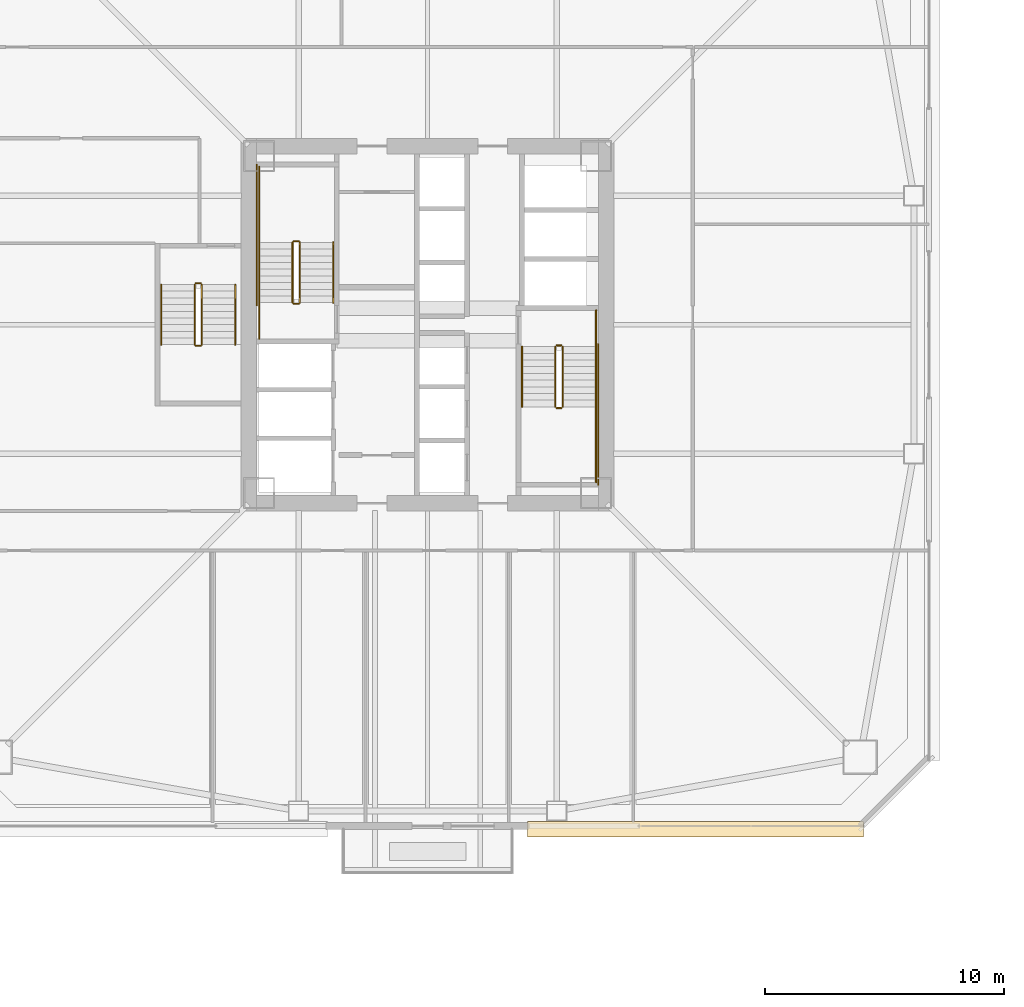
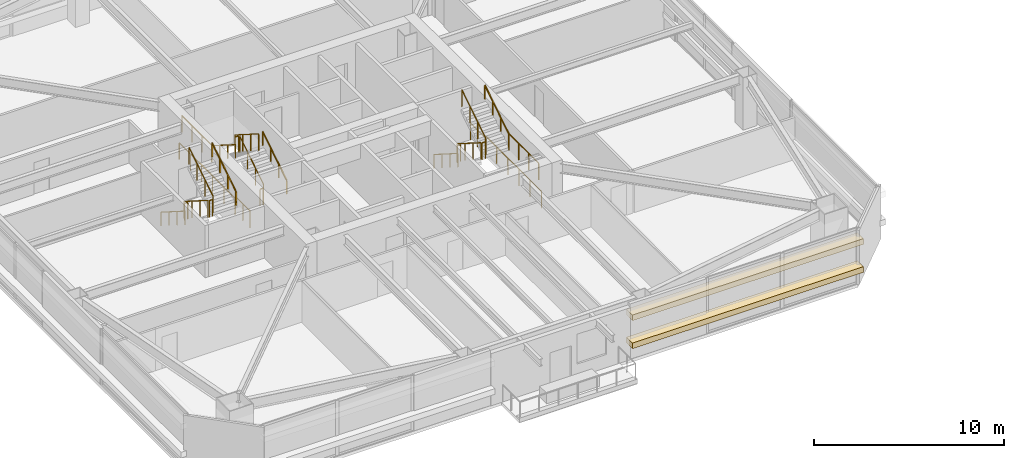
# One storey, part 39 of 44: 24 railings, 2 coverings.
"""IFC4 building model written with IfcOpenShell, lengths in metres."""

import ifcopenshell
import ifcopenshell.guid

model = None  # the IFC model being written
_history = None  # IfcOwnerHistory: only IFC2X3 demands one
_inside = {}  # id of a spatial element -> (the spatial element, [elements in it])
_under = {}  # id of a project, library or spatial element -> (it, [spatial elements below it])
_declared = {}  # id of a project -> (the project, [libraries it declares])
_typed = {}  # id of a type object -> (the type object, [elements of that type])
_made_of = {}  # id of a material, layer set ... -> (it, [elements and type objects made of it])


def new_model(schema):
    """Start an empty IFC model of exactly this schema.

    Asked for "IFC4X3", IfcOpenShell would pick the latest addendum, in which some entities
    have other attributes; the version numbers below select the first issue.
    IFC2X3 requires an IfcOwnerHistory on every rooted entity: one is made here for all.
    """
    global model, _history
    if schema == "IFC4X3":
        model = ifcopenshell.file(schema_version=(4, 3, 0, 0))
    else:
        model = ifcopenshell.file(schema=schema)
    _inside.clear()
    _under.clear()
    _declared.clear()
    _typed.clear()
    _made_of.clear()
    _history = None
    if model.schema == "IFC2X3":
        org = make("IfcOrganization", Name="unknown")
        user = make(
            "IfcPersonAndOrganization",
            ThePerson=make("IfcPerson", FamilyName="unknown"),
            TheOrganization=org,
        )
        app = make(
            "IfcApplication",
            ApplicationDeveloper=org,
            Version="unknown",
            ApplicationFullName="unknown",
            ApplicationIdentifier="unknown",
        )
        _history = make(
            "IfcOwnerHistory",
            OwningUser=user,
            OwningApplication=app,
            ChangeAction="ADDED",
            CreationDate=0,
        )
    return model


def make(cls, **values):
    """One entity of the class cls with the attributes given. An attribute that is None is left unset."""
    return model.create_entity(
        cls, **{name: value for name, value in values.items() if value is not None}
    )


def rooted(cls, **values):
    """An entity with a GlobalId (a new one), such as an element, a storey or a relation."""
    return make(cls, GlobalId=ifcopenshell.guid.new(), OwnerHistory=_history, **values)


def si_unit(unit_type, name, prefix=None):
    """IfcSIUnit, for example si_unit("LENGTHUNIT", "METRE", prefix="MILLI")."""
    return make("IfcSIUnit", UnitType=unit_type, Prefix=prefix, Name=name)


def assignment(units):
    """IfcUnitAssignment: the units of a project."""
    return None if units is None else make("IfcUnitAssignment", Units=units)


def point(xyz):
    """IfcCartesianPoint."""
    return None if xyz is None else make("IfcCartesianPoint", Coordinates=xyz)


def direction(xyz):
    """IfcDirection."""
    return None if xyz is None else make("IfcDirection", DirectionRatios=xyz)


def frame(location, z_axis=None, x_axis=None):
    """IfcAxis2Placement3D, a coordinate frame: its origin and axes. An axis left out is left unset."""
    return make(
        "IfcAxis2Placement3D",
        Location=point(location),
        Axis=direction(z_axis),
        RefDirection=direction(x_axis),
    )


def frame_2d(location, x_axis=None):
    """IfcAxis2Placement2D, a coordinate frame in the plane: its origin and x axis."""
    return make(
        "IfcAxis2Placement2D", Location=point(location), RefDirection=direction(x_axis)
    )


def origin():
    """The frame at (0, 0, 0) with its axes left unset."""
    return frame((0.0, 0.0, 0.0))


def origin_2d():
    """The frame at (0, 0) in the plane with its x axis left unset."""
    return frame_2d((0.0, 0.0))


def place(relative_to, where):
    """IfcLocalPlacement: puts the frame where relative to a parent placement (None: the world)."""
    return make(
        "IfcLocalPlacement", PlacementRelTo=relative_to, RelativePlacement=where
    )


def context(
    kind, dimensions, precision=None, world=None, true_north=None, identifier=None
):
    """IfcGeometricRepresentationContext, for example the 3D "Model" context."""
    return make(
        "IfcGeometricRepresentationContext",
        ContextIdentifier=identifier,
        ContextType=kind,
        CoordinateSpaceDimension=dimensions,
        Precision=precision,
        WorldCoordinateSystem=world,
        TrueNorth=true_north,
    )


def subcontext(parent, identifier, kind, view, scale=None):
    """IfcGeometricRepresentationSubContext, for example "Body" below "Model"."""
    return make(
        "IfcGeometricRepresentationSubContext",
        ContextIdentifier=identifier,
        ContextType=kind,
        ParentContext=parent,
        TargetScale=scale,
        TargetView=view,
    )


def project(units=None, contexts=None):
    """IfcProject with its units and contexts."""
    return rooted(
        "IfcProject",
        Name="project",
        RepresentationContexts=contexts,
        UnitsInContext=assignment(units),
    )


def spatial(cls, under=None, at=None, **own):
    """A site, building, storey or space (cls), placed at a placement, below another one or the project."""
    s = rooted(cls, ObjectPlacement=at, **own)
    if under is not None:
        _under.setdefault(under.id(), (under, []))[1].append(s)
    return s


def profile(cls, at=None, kind="AREA", **sizes):
    """A parametric profile (cls). Its sizes go by their IFC names, for example OverallWidth=200.0."""
    return make(cls, ProfileType=kind, Position=at, **sizes)


def rectangle(**sizes):
    """IfcRectangleProfileDef."""
    return profile("IfcRectangleProfileDef", **sizes)


def extrude(swept, where, along, depth):
    """IfcExtrudedAreaSolid: the profile swept, set in the frame where, extruded along a direction by depth."""
    return make(
        "IfcExtrudedAreaSolid",
        SweptArea=swept,
        Position=where,
        ExtrudedDirection=direction(along),
        Depth=depth,
    )


def shape(context_of_items, identifier, shape_type, items):
    """IfcShapeRepresentation: the items that make up one representation, for example the "Body"."""
    return make(
        "IfcShapeRepresentation",
        ContextOfItems=context_of_items,
        RepresentationIdentifier=identifier,
        RepresentationType=shape_type,
        Items=items,
    )


def material(Name=None, Category=None):
    """IfcMaterial."""
    return make("IfcMaterial", Name=Name, Category=Category)


def layer(
    of_material, thickness, ventilated=None, Name=None, Category=None, Priority=None
):
    """IfcMaterialLayer: one layer of a wall or slab, of a material (None: an air gap)."""
    return make(
        "IfcMaterialLayer",
        Material=of_material,
        LayerThickness=thickness,
        IsVentilated=ventilated,
        Name=Name,
        Category=Category,
        Priority=Priority,
    )


def layer_set(layers, Name=None):
    """IfcMaterialLayerSet."""
    return make("IfcMaterialLayerSet", MaterialLayers=layers, LayerSetName=Name)


def made_of(thing, what):
    """Note that an element or type object is made of a material, layer set ...; save() writes the relation."""
    if what is not None:
        _made_of.setdefault(what.id(), (what, []))[1].append(thing)
    return thing


def type_object(cls, material=None, **own):
    """A type object (cls), such as IfcWallType, which elements share."""
    return made_of(rooted(cls, **own), material)


def element(
    cls,
    number,
    at=None,
    inside=None,
    cuts=None,
    type_object=None,
    material=None,
    context=None,
    identifier="Body",
    shape_type=None,
    held_by="IfcProductDefinitionShape",
    body=None,
    shapes=None,
    **own,
):
    """One element of the class cls, such as IfcWall. Its Tag is "e" and its number.

    at: its placement. inside: the storey or other place that contains it. cuts: it is an
    opening in that element (IfcRelVoidsElement). A single representation is given by context,
    identifier, shape_type and body (its items); several are given by shapes. held_by: the class
    of the entity that holds the representations. save() writes the other relations.
    """
    e = rooted(cls, Tag="e%d" % number, ObjectPlacement=at, **own)
    if body is not None:
        shapes = [shape(context, identifier, shape_type, body)]
    if shapes is not None:
        e.Representation = make(held_by, Representations=shapes)
    if inside is not None:
        _inside.setdefault(inside.id(), (inside, []))[1].append(e)
    if cuts is not None:
        rooted(
            "IfcRelVoidsElement", RelatingBuildingElement=cuts, RelatedOpeningElement=e
        )
    if type_object is not None:
        _typed.setdefault(type_object.id(), (type_object, []))[1].append(e)
    return made_of(e, material)


def aggregate(whole, parts):
    """IfcRelAggregates: a whole, such as a stair, and the parts it consists of."""
    return rooted("IfcRelAggregates", RelatingObject=whole, RelatedObjects=parts)


def save(model, path):
    """Write the relations noted so far, then the file.

    IfcRelAggregates (storeys below a building ...), IfcRelContainedInSpatialStructure (elements
    in a storey), IfcRelDefinesByType, IfcRelAssociatesMaterial and IfcRelDeclares: one each for
    every whole, place, type object, material and project.
    """
    for whole, parts in _under.values():
        aggregate(whole, parts)
    for where, things in _inside.values():
        rooted(
            "IfcRelContainedInSpatialStructure",
            RelatedElements=things,
            RelatingStructure=where,
        )
    for kind, things in _typed.values():
        rooted("IfcRelDefinesByType", RelatedObjects=things, RelatingType=kind)
    for what, things in _made_of.values():
        rooted("IfcRelAssociatesMaterial", RelatedObjects=things, RelatingMaterial=what)
    for by, libraries in _declared.values():
        rooted("IfcRelDeclares", RelatingContext=by, RelatedDefinitions=libraries)
    model.write(path)


model = new_model("IFC4")

# Units and contexts
model_context = context("Model", 3, precision=1e-05, world=origin(), true_north=direction((0.0, 1.0)))
body_context = subcontext(model_context, "Body", "Model", "MODEL_VIEW")
ifc_project = project(units=[si_unit("LENGTHUNIT", "METRE"), si_unit("AREAUNIT", "SQUARE_METRE"), si_unit("VOLUMEUNIT", "CUBIC_METRE"), si_unit("PLANEANGLEUNIT", "RADIAN"), si_unit("MASSUNIT", "GRAM", prefix="KILO")], contexts=[model_context])

# Site, building, storey
site_placement = place(None, origin())
site = spatial("IfcSite", under=ifc_project, at=site_placement, CompositionType="ELEMENT")
building_placement = place(site_placement, origin())
building = spatial("IfcBuilding", under=site, at=building_placement, Name="Tashvorn Skyway Center", CompositionType="ELEMENT")
storey_placement = place(building_placement, frame((0.0, 0.0, 92.050048828125)))
storey = spatial("IfcBuildingStorey", under=building, at=storey_placement, Name="L24", CompositionType="ELEMENT", Elevation=92.050048828125)

# Coverings
ifc_material_1 = material(Name="Perforated ceramic-coated bronze aluminium solar screen", Category="aluminium")
ifc_layer = layer(ifc_material_1, 0.85009765625)
ifc_layer_set = layer_set([ifc_layer], Name="Perforated ceramic-coated bronze aluminium solar screen")
covering_type = type_object("IfcCoveringType", Name="COV-SOLAR-BAND", PredefinedType="CLADDING", material=ifc_layer_set)
for number, where, z_axis, x_axis, name in (
    (1, (53.215087890625, 10.8798828125, 0.919921875), (0.0, 0.0, 1.0), (-1.0, 0.0, 0.0), "L24 Perforated Ceramic-Metal Solar Screen Louvre Band South 1"),
    (2, (53.215087890625, 10.8798828125, 2.7197265625), (0.0, 0.0, 1.0), (-1.0, 0.0, 0.0), "L24 Perforated Ceramic-Metal Solar Screen Louvre Band South 2"),
):
    element("IfcCovering", number, at=place(storey_placement, frame(where, z_axis=z_axis, x_axis=x_axis)), inside=storey, type_object=covering_type, Name=name, PredefinedType="CLADDING", context=body_context, shape_type="SweptSolid", body=[
        extrude(rectangle(XDim=14.050048828125, YDim=0.639892578125, at=origin_2d()), origin(), (0.0, 0.0, 1.0), 0.360107421875),
    ])

# Railings
ifc_material_2 = material(Name="Brushed stainless steel 316", Category="steel")
railing_type_1 = type_object("IfcRailingType", Name="RAIL-HAND-920", PredefinedType="HANDRAIL", material=ifc_material_2)
railing_1_placement = place(storey_placement, frame((38.050048828125, 32.919921875, 0.177490234375)))
element("IfcRailing", 3, at=railing_1_placement, inside=storey, type_object=railing_type_1, Name="L24 ST-T1-1 stair handrail 1", PredefinedType="HANDRAIL", context=body_context, shape_type="SweptSolid", body=[
    extrude(rectangle(XDim=0.048095703125, YDim=0.048095703125, at=origin_2d()), frame((0.0, 0.0, 0.8759765625), z_axis=(0.0, 0.84460694969, 0.535386869969), x_axis=(-1.0, 0.0, 0.0)), (0.0, 0.0, 1.0), 2.983642578125),
    extrude(rectangle(XDim=0.0419921875, YDim=0.0419921875, at=origin_2d()), origin(), (0.0, 0.0, 1.0), 0.851806640625),
    extrude(rectangle(XDim=0.0419921875, YDim=0.0419921875, at=origin_2d()), frame((0.0, 0.840087890625, 0.532470703125)), (0.0, 0.0, 1.0), 0.851806640625),
    extrude(rectangle(XDim=0.0419921875, YDim=0.0419921875, at=origin_2d()), frame((0.0, 1.679931640625, 1.06494140625)), (0.0, 0.0, 1.0), 0.851806640625),
    extrude(rectangle(XDim=0.0419921875, YDim=0.0419921875, at=origin_2d()), frame((0.0, 2.52001953125, 1.597412109375)), (0.0, 0.0, 1.0), 0.851806640625),
])
railing_2_placement = place(storey_placement, frame((34.949951171875, 35.43994140625, 1.952392578125)))
element("IfcRailing", 4, at=railing_2_placement, inside=storey, type_object=railing_type_1, Name="L24 ST-T1-1 stair handrail 2", PredefinedType="HANDRAIL", context=body_context, shape_type="SweptSolid", body=[
    extrude(rectangle(XDim=0.048095703125, YDim=0.048095703125, at=origin_2d()), frame((0.0, 0.0, 0.8759765625), z_axis=(0.0, -0.84456994832, 0.535445237532), x_axis=(1.0, 0.0, 0.0)), (0.0, 0.0, 1.0), 2.98388671875),
    extrude(rectangle(XDim=0.0419921875, YDim=0.0419921875, at=origin_2d()), origin(), (0.0, 0.0, 1.0), 0.851806640625),
    extrude(rectangle(XDim=0.0419921875, YDim=0.0419921875, at=origin_2d()), frame((0.0, -0.840087890625, 0.532470703125)), (0.0, 0.0, 1.0), 0.851806640625),
    extrude(rectangle(XDim=0.0419921875, YDim=0.0419921875, at=origin_2d()), frame((0.0, -1.679931640625, 1.065185546875)), (0.0, 0.0, 1.0), 0.851806640625),
    extrude(rectangle(XDim=0.0419921875, YDim=0.0419921875, at=origin_2d()), frame((0.0, -2.52001953125, 1.59765625)), (0.0, 0.0, 1.0), 0.851806640625),
])
railing_3_placement = place(storey_placement, frame((45.949951171875, 31.080078125, 0.177490234375)))
element("IfcRailing", 5, at=railing_3_placement, inside=storey, type_object=railing_type_1, Name="L24 ST-T1-2 stair handrail 1", PredefinedType="HANDRAIL", context=body_context, shape_type="SweptSolid", body=[
    extrude(rectangle(XDim=0.048095703125, YDim=0.048095703125, at=origin_2d()), frame((0.0, 0.0, 0.8759765625), z_axis=(0.0, -0.84460694969, 0.535386869969), x_axis=(1.0, 0.0, 0.0)), (0.0, 0.0, 1.0), 2.983642578125),
    extrude(rectangle(XDim=0.0419921875, YDim=0.0419921875, at=origin_2d()), origin(), (0.0, 0.0, 1.0), 0.851806640625),
    extrude(rectangle(XDim=0.0419921875, YDim=0.0419921875, at=origin_2d()), frame((0.0, -0.840087890625, 0.532470703125)), (0.0, 0.0, 1.0), 0.851806640625),
    extrude(rectangle(XDim=0.0419921875, YDim=0.0419921875, at=origin_2d()), frame((0.0, -1.679931640625, 1.06494140625)), (0.0, 0.0, 1.0), 0.851806640625),
    extrude(rectangle(XDim=0.0419921875, YDim=0.0419921875, at=origin_2d()), frame((0.0, -2.52001953125, 1.597412109375)), (0.0, 0.0, 1.0), 0.851806640625),
])
railing_4_placement = place(storey_placement, frame((49.050048828125, 28.56005859375, 1.952392578125)))
element("IfcRailing", 6, at=railing_4_placement, inside=storey, type_object=railing_type_1, Name="L24 ST-T1-2 stair handrail 2", PredefinedType="HANDRAIL", context=body_context, shape_type="SweptSolid", body=[
    extrude(rectangle(XDim=0.048095703125, YDim=0.048095703125, at=origin_2d()), frame((0.0, 0.0, 0.8759765625), z_axis=(0.0, 0.84456994832, 0.535445237532), x_axis=(-1.0, 0.0, 0.0)), (0.0, 0.0, 1.0), 2.98388671875),
    extrude(rectangle(XDim=0.0419921875, YDim=0.0419921875, at=origin_2d()), origin(), (0.0, 0.0, 1.0), 0.851806640625),
    extrude(rectangle(XDim=0.0419921875, YDim=0.0419921875, at=origin_2d()), frame((0.0, 0.840087890625, 0.532470703125)), (0.0, 0.0, 1.0), 0.851806640625),
    extrude(rectangle(XDim=0.0419921875, YDim=0.0419921875, at=origin_2d()), frame((0.0, 1.679931640625, 1.065185546875)), (0.0, 0.0, 1.0), 0.851806640625),
    extrude(rectangle(XDim=0.0419921875, YDim=0.0419921875, at=origin_2d()), frame((0.0, 2.52001953125, 1.59765625)), (0.0, 0.0, 1.0), 0.851806640625),
])
railing_5_placement = place(storey_placement, frame((30.85009765625, 33.679931640625, 0.177490234375)))
element("IfcRailing", 7, at=railing_5_placement, inside=storey, type_object=railing_type_1, Name="L24 ST-T1-3 stair handrail 1", PredefinedType="HANDRAIL", context=body_context, shape_type="SweptSolid", body=[
    extrude(rectangle(XDim=0.048095703125, YDim=0.048095703125, at=origin_2d()), frame((0.0, 0.0, 0.8759765625), z_axis=(0.0, -0.84460694969, 0.535386869969), x_axis=(1.0, 0.0, 0.0)), (0.0, 0.0, 1.0), 2.983642578125),
    extrude(rectangle(XDim=0.0419921875, YDim=0.0419921875, at=origin_2d()), origin(), (0.0, 0.0, 1.0), 0.851806640625),
    extrude(rectangle(XDim=0.0419921875, YDim=0.0419921875, at=origin_2d()), frame((0.0, -0.840087890625, 0.532470703125)), (0.0, 0.0, 1.0), 0.851806640625),
    extrude(rectangle(XDim=0.0419921875, YDim=0.0419921875, at=origin_2d()), frame((0.0, -1.679931640625, 1.06494140625)), (0.0, 0.0, 1.0), 0.851806640625),
    extrude(rectangle(XDim=0.0419921875, YDim=0.0419921875, at=origin_2d()), frame((0.0, -2.52001953125, 1.597412109375)), (0.0, 0.0, 1.0), 0.851806640625),
])
railing_6_placement = place(storey_placement, frame((33.949951171875, 31.159912109375, 1.952392578125)))
element("IfcRailing", 8, at=railing_6_placement, inside=storey, type_object=railing_type_1, Name="L24 ST-T1-3 stair handrail 2", PredefinedType="HANDRAIL", context=body_context, shape_type="SweptSolid", body=[
    extrude(rectangle(XDim=0.048095703125, YDim=0.048095703125, at=origin_2d()), frame((0.0, 0.0, 0.8759765625), z_axis=(0.0, 0.84456994832, 0.535445237532), x_axis=(-1.0, 0.0, 0.0)), (0.0, 0.0, 1.0), 2.98388671875),
    extrude(rectangle(XDim=0.0419921875, YDim=0.0419921875, at=origin_2d()), origin(), (0.0, 0.0, 1.0), 0.851806640625),
    extrude(rectangle(XDim=0.0419921875, YDim=0.0419921875, at=origin_2d()), frame((0.0, 0.840087890625, 0.532470703125)), (0.0, 0.0, 1.0), 0.851806640625),
    extrude(rectangle(XDim=0.0419921875, YDim=0.0419921875, at=origin_2d()), frame((0.0, 1.679931640625, 1.065185546875)), (0.0, 0.0, 1.0), 0.851806640625),
    extrude(rectangle(XDim=0.0419921875, YDim=0.0419921875, at=origin_2d()), frame((0.0, 2.52001953125, 1.59765625)), (0.0, 0.0, 1.0), 0.851806640625),
])
ifc_material_3 = material(Name="Painted galvanized steel S355", Category="steel")
railing_type_2 = type_object("IfcRailingType", Name="RAIL-STGUARD-1100", PredefinedType="GUARDRAIL", material=ifc_material_3)
railing_7_placement = place(storey_placement, frame((36.64990234375, 32.919921875, 0.177490234375)))
element("IfcRailing", 9, at=railing_7_placement, inside=storey, type_object=railing_type_2, Name="L24 ST-T1-1 stair guard 1", PredefinedType="GUARDRAIL", context=body_context, shape_type="SweptSolid", body=[
    extrude(rectangle(XDim=0.048095703125, YDim=0.048095703125, at=origin_2d()), frame((0.0, 0.0, 1.076171875), z_axis=(0.0, 0.84460694969, 0.535386869969), x_axis=(-1.0, 0.0, 0.0)), (0.0, 0.0, 1.0), 2.983642578125),
    extrude(rectangle(XDim=0.0419921875, YDim=0.0419921875, at=origin_2d()), origin(), (0.0, 0.0, 1.0), 1.052001953125),
    extrude(rectangle(XDim=0.0419921875, YDim=0.0419921875, at=origin_2d()), frame((0.0, 0.840087890625, 0.532470703125)), (0.0, 0.0, 1.0), 1.052001953125),
    extrude(rectangle(XDim=0.0419921875, YDim=0.0419921875, at=origin_2d()), frame((0.0, 1.679931640625, 1.06494140625)), (0.0, 0.0, 1.0), 1.052001953125),
    extrude(rectangle(XDim=0.0419921875, YDim=0.0419921875, at=origin_2d()), frame((0.0, 2.52001953125, 1.597412109375)), (0.0, 0.0, 1.0), 1.052001953125),
])
railing_8_placement = place(storey_placement, frame((36.60009765625, 35.489990234375, 1.77490234375)))
element("IfcRailing", 10, at=railing_8_placement, inside=storey, type_object=railing_type_2, Name="L24 ST-T1-1 stair guard 2", PredefinedType="GUARDRAIL", context=body_context, shape_type="SweptSolid", body=[
    extrude(rectangle(XDim=0.048095703125, YDim=0.048095703125, at=origin_2d()), frame((0.0, 0.0, 1.076171875), z_axis=(-1.0, 0.0, 0.0), x_axis=(0.0, -1.0, 0.0)), (0.0, 0.0, 1.0), 0.2001953125),
    extrude(rectangle(XDim=0.0419921875, YDim=0.0419921875, at=origin_2d()), origin(), (0.0, 0.0, 1.0), 1.052001953125),
    extrude(rectangle(XDim=0.0419921875, YDim=0.0419921875, at=origin_2d()), frame((-0.2001953125, 0.0, 0.0)), (0.0, 0.0, 1.0), 1.052001953125),
])
railing_9_placement = place(storey_placement, frame((34.949951171875, 35.43994140625, 1.77490234375)))
element("IfcRailing", 11, at=railing_9_placement, inside=storey, type_object=railing_type_2, Name="L24 ST-T1-1 stair guard 3", PredefinedType="GUARDRAIL", context=body_context, shape_type="SweptSolid", body=[
    extrude(rectangle(XDim=0.048095703125, YDim=0.048095703125, at=origin_2d()), frame((0.0, 0.0, 1.076171875), z_axis=(0.0, 1.0, 0.0), x_axis=(-1.0, 0.0, 0.0)), (0.0, 0.0, 1.0), 3.16015625),
    extrude(rectangle(XDim=0.0419921875, YDim=0.0419921875, at=origin_2d()), origin(), (0.0, 0.0, 1.0), 1.052001953125),
    extrude(rectangle(XDim=0.0419921875, YDim=0.0419921875, at=origin_2d()), frame((0.0, 1.053466796875, 0.0)), (0.0, 0.0, 1.0), 1.052001953125),
    extrude(rectangle(XDim=0.0419921875, YDim=0.0419921875, at=origin_2d()), frame((0.0, 2.106689453125, 0.0)), (0.0, 0.0, 1.0), 1.052001953125),
    extrude(rectangle(XDim=0.0419921875, YDim=0.0419921875, at=origin_2d()), frame((0.0, 3.16015625, 0.0)), (0.0, 0.0, 1.0), 1.052001953125),
])
railing_10_placement = place(storey_placement, frame((36.35009765625, 35.43994140625, 1.952392578125)))
element("IfcRailing", 12, at=railing_10_placement, inside=storey, type_object=railing_type_2, Name="L24 ST-T1-1 stair guard 4", PredefinedType="GUARDRAIL", context=body_context, shape_type="SweptSolid", body=[
    extrude(rectangle(XDim=0.048095703125, YDim=0.048095703125, at=origin_2d()), frame((0.0, 0.0, 1.076171875), z_axis=(0.0, -0.84456994832, 0.535445237532), x_axis=(1.0, 0.0, 0.0)), (0.0, 0.0, 1.0), 2.98388671875),
    extrude(rectangle(XDim=0.0419921875, YDim=0.0419921875, at=origin_2d()), origin(), (0.0, 0.0, 1.0), 1.052001953125),
    extrude(rectangle(XDim=0.0419921875, YDim=0.0419921875, at=origin_2d()), frame((0.0, -0.840087890625, 0.532470703125)), (0.0, 0.0, 1.0), 1.052001953125),
    extrude(rectangle(XDim=0.0419921875, YDim=0.0419921875, at=origin_2d()), frame((0.0, -1.679931640625, 1.065185546875)), (0.0, 0.0, 1.0), 1.052001953125),
    extrude(rectangle(XDim=0.0419921875, YDim=0.0419921875, at=origin_2d()), frame((0.0, -2.52001953125, 1.59765625)), (0.0, 0.0, 1.0), 1.052001953125),
])
railing_11_placement = place(storey_placement, frame((36.60009765625, 32.8701171875, 0.0)))
element("IfcRailing", 13, at=railing_11_placement, inside=storey, type_object=railing_type_2, Name="L24 ST-T1-1 stair guard 5", PredefinedType="GUARDRAIL", context=body_context, shape_type="SweptSolid", body=[
    extrude(rectangle(XDim=0.048095703125, YDim=0.048095703125, at=origin_2d()), frame((0.0, 0.0, 1.076171875), z_axis=(-1.0, 0.0, 0.0), x_axis=(0.0, -1.0, 0.0)), (0.0, 0.0, 1.0), 0.2001953125),
    extrude(rectangle(XDim=0.0419921875, YDim=0.0419921875, at=origin_2d()), origin(), (0.0, 0.0, 1.0), 1.052001953125),
    extrude(rectangle(XDim=0.0419921875, YDim=0.0419921875, at=origin_2d()), frame((-0.2001953125, 0.0, 0.0)), (0.0, 0.0, 1.0), 1.052001953125),
])
railing_12_placement = place(storey_placement, frame((34.949951171875, 31.39990234375, 0.0)))
element("IfcRailing", 14, at=railing_12_placement, inside=storey, type_object=railing_type_2, Name="L24 ST-T1-1 stair guard 6", PredefinedType="GUARDRAIL", context=body_context, shape_type="SweptSolid", body=[
    extrude(rectangle(XDim=0.048095703125, YDim=0.048095703125, at=origin_2d()), frame((0.0, 0.0, 1.076171875), z_axis=(0.0, 1.0, 0.0), x_axis=(-1.0, 0.0, 0.0)), (0.0, 0.0, 1.0), 1.52001953125),
    extrude(rectangle(XDim=0.0419921875, YDim=0.0419921875, at=origin_2d()), origin(), (0.0, 0.0, 1.0), 1.052001953125),
    extrude(rectangle(XDim=0.0419921875, YDim=0.0419921875, at=origin_2d()), frame((0.0, 0.760009765625, 0.0)), (0.0, 0.0, 1.0), 1.052001953125),
    extrude(rectangle(XDim=0.0419921875, YDim=0.0419921875, at=origin_2d()), frame((0.0, 1.52001953125, 0.0)), (0.0, 0.0, 1.0), 1.052001953125),
])
railing_13_placement = place(storey_placement, frame((34.85009765625, 32.820068359375, 0.0)))
element("IfcRailing", 15, at=railing_13_placement, inside=storey, type_object=railing_type_2, Name="L24 ST-T1-1 stair guard 7", PredefinedType="GUARDRAIL", context=body_context, shape_type="SweptSolid", body=[
    extrude(rectangle(XDim=0.048095703125, YDim=0.048095703125, at=origin_2d()), frame((0.0, 0.0, 1.076171875), z_axis=(0.0, 1.0, 0.0), x_axis=(-1.0, 0.0, 0.0)), (0.0, 0.0, 1.0), 5.8798828125),
    extrude(rectangle(XDim=0.0419921875, YDim=0.0419921875, at=origin_2d()), origin(), (0.0, 0.0, 1.0), 1.052001953125),
    extrude(rectangle(XDim=0.0419921875, YDim=0.0419921875, at=origin_2d()), frame((0.0, 1.176025390625, 0.0)), (0.0, 0.0, 1.0), 1.052001953125),
    extrude(rectangle(XDim=0.0419921875, YDim=0.0419921875, at=origin_2d()), frame((0.0, 2.35205078125, 0.0)), (0.0, 0.0, 1.0), 1.052001953125),
    extrude(rectangle(XDim=0.0419921875, YDim=0.0419921875, at=origin_2d()), frame((0.0, 3.52783203125, 0.0)), (0.0, 0.0, 1.0), 1.052001953125),
    extrude(rectangle(XDim=0.0419921875, YDim=0.0419921875, at=origin_2d()), frame((0.0, 4.703857421875, 0.0)), (0.0, 0.0, 1.0), 1.052001953125),
    extrude(rectangle(XDim=0.0419921875, YDim=0.0419921875, at=origin_2d()), frame((0.0, 5.8798828125, 0.0)), (0.0, 0.0, 1.0), 1.052001953125),
])
railing_14_placement = place(storey_placement, frame((47.35009765625, 31.080078125, 0.177490234375)))
element("IfcRailing", 16, at=railing_14_placement, inside=storey, type_object=railing_type_2, Name="L24 ST-T1-2 stair guard 1", PredefinedType="GUARDRAIL", context=body_context, shape_type="SweptSolid", body=[
    extrude(rectangle(XDim=0.048095703125, YDim=0.048095703125, at=origin_2d()), frame((0.0, 0.0, 1.076171875), z_axis=(0.0, -0.84460694969, 0.535386869969), x_axis=(1.0, 0.0, 0.0)), (0.0, 0.0, 1.0), 2.983642578125),
    extrude(rectangle(XDim=0.0419921875, YDim=0.0419921875, at=origin_2d()), origin(), (0.0, 0.0, 1.0), 1.052001953125),
    extrude(rectangle(XDim=0.0419921875, YDim=0.0419921875, at=origin_2d()), frame((0.0, -0.840087890625, 0.532470703125)), (0.0, 0.0, 1.0), 1.052001953125),
    extrude(rectangle(XDim=0.0419921875, YDim=0.0419921875, at=origin_2d()), frame((0.0, -1.679931640625, 1.06494140625)), (0.0, 0.0, 1.0), 1.052001953125),
    extrude(rectangle(XDim=0.0419921875, YDim=0.0419921875, at=origin_2d()), frame((0.0, -2.52001953125, 1.597412109375)), (0.0, 0.0, 1.0), 1.052001953125),
])
railing_15_placement = place(storey_placement, frame((47.39990234375, 28.510009765625, 1.77490234375)))
element("IfcRailing", 17, at=railing_15_placement, inside=storey, type_object=railing_type_2, Name="L24 ST-T1-2 stair guard 2", PredefinedType="GUARDRAIL", context=body_context, shape_type="SweptSolid", body=[
    extrude(rectangle(XDim=0.048095703125, YDim=0.048095703125, at=origin_2d()), frame((0.0, 0.0, 1.076171875), z_axis=(1.0, 0.0, 0.0), x_axis=(0.0, 1.0, 0.0)), (0.0, 0.0, 1.0), 0.2001953125),
    extrude(rectangle(XDim=0.0419921875, YDim=0.0419921875, at=origin_2d()), origin(), (0.0, 0.0, 1.0), 1.052001953125),
    extrude(rectangle(XDim=0.0419921875, YDim=0.0419921875, at=origin_2d()), frame((0.2001953125, 0.0, 0.0)), (0.0, 0.0, 1.0), 1.052001953125),
])
railing_16_placement = place(storey_placement, frame((49.050048828125, 28.56005859375, 1.77490234375)))
element("IfcRailing", 18, at=railing_16_placement, inside=storey, type_object=railing_type_2, Name="L24 ST-T1-2 stair guard 3", PredefinedType="GUARDRAIL", context=body_context, shape_type="SweptSolid", body=[
    extrude(rectangle(XDim=0.048095703125, YDim=0.048095703125, at=origin_2d()), frame((0.0, 0.0, 1.076171875), z_axis=(0.0, -1.0, 0.0), x_axis=(1.0, 0.0, 0.0)), (0.0, 0.0, 1.0), 3.16015625),
    extrude(rectangle(XDim=0.0419921875, YDim=0.0419921875, at=origin_2d()), origin(), (0.0, 0.0, 1.0), 1.052001953125),
    extrude(rectangle(XDim=0.0419921875, YDim=0.0419921875, at=origin_2d()), frame((0.0, -1.053466796875, 0.0)), (0.0, 0.0, 1.0), 1.052001953125),
    extrude(rectangle(XDim=0.0419921875, YDim=0.0419921875, at=origin_2d()), frame((0.0, -2.106689453125, 0.0)), (0.0, 0.0, 1.0), 1.052001953125),
    extrude(rectangle(XDim=0.0419921875, YDim=0.0419921875, at=origin_2d()), frame((0.0, -3.16015625, 0.0)), (0.0, 0.0, 1.0), 1.052001953125),
])
railing_17_placement = place(storey_placement, frame((47.64990234375, 28.56005859375, 1.952392578125)))
element("IfcRailing", 19, at=railing_17_placement, inside=storey, type_object=railing_type_2, Name="L24 ST-T1-2 stair guard 4", PredefinedType="GUARDRAIL", context=body_context, shape_type="SweptSolid", body=[
    extrude(rectangle(XDim=0.048095703125, YDim=0.048095703125, at=origin_2d()), frame((0.0, 0.0, 1.076171875), z_axis=(0.0, 0.84456994832, 0.535445237532), x_axis=(-1.0, 0.0, 0.0)), (0.0, 0.0, 1.0), 2.98388671875),
    extrude(rectangle(XDim=0.0419921875, YDim=0.0419921875, at=origin_2d()), origin(), (0.0, 0.0, 1.0), 1.052001953125),
    extrude(rectangle(XDim=0.0419921875, YDim=0.0419921875, at=origin_2d()), frame((0.0, 0.840087890625, 0.532470703125)), (0.0, 0.0, 1.0), 1.052001953125),
    extrude(rectangle(XDim=0.0419921875, YDim=0.0419921875, at=origin_2d()), frame((0.0, 1.679931640625, 1.065185546875)), (0.0, 0.0, 1.0), 1.052001953125),
    extrude(rectangle(XDim=0.0419921875, YDim=0.0419921875, at=origin_2d()), frame((0.0, 2.52001953125, 1.59765625)), (0.0, 0.0, 1.0), 1.052001953125),
])
railing_18_placement = place(storey_placement, frame((47.39990234375, 31.1298828125, 0.0)))
element("IfcRailing", 20, at=railing_18_placement, inside=storey, type_object=railing_type_2, Name="L24 ST-T1-2 stair guard 5", PredefinedType="GUARDRAIL", context=body_context, shape_type="SweptSolid", body=[
    extrude(rectangle(XDim=0.048095703125, YDim=0.048095703125, at=origin_2d()), frame((0.0, 0.0, 1.076171875), z_axis=(1.0, 0.0, 0.0), x_axis=(0.0, 1.0, 0.0)), (0.0, 0.0, 1.0), 0.2001953125),
    extrude(rectangle(XDim=0.0419921875, YDim=0.0419921875, at=origin_2d()), origin(), (0.0, 0.0, 1.0), 1.052001953125),
    extrude(rectangle(XDim=0.0419921875, YDim=0.0419921875, at=origin_2d()), frame((0.2001953125, 0.0, 0.0)), (0.0, 0.0, 1.0), 1.052001953125),
])
railing_19_placement = place(storey_placement, frame((49.050048828125, 32.60009765625, 0.0)))
element("IfcRailing", 21, at=railing_19_placement, inside=storey, type_object=railing_type_2, Name="L24 ST-T1-2 stair guard 6", PredefinedType="GUARDRAIL", context=body_context, shape_type="SweptSolid", body=[
    extrude(rectangle(XDim=0.048095703125, YDim=0.048095703125, at=origin_2d()), frame((0.0, 0.0, 1.076171875), z_axis=(0.0, -1.0, 0.0), x_axis=(1.0, 0.0, 0.0)), (0.0, 0.0, 1.0), 1.52001953125),
    extrude(rectangle(XDim=0.0419921875, YDim=0.0419921875, at=origin_2d()), origin(), (0.0, 0.0, 1.0), 1.052001953125),
    extrude(rectangle(XDim=0.0419921875, YDim=0.0419921875, at=origin_2d()), frame((0.0, -0.760009765625, 0.0)), (0.0, 0.0, 1.0), 1.052001953125),
    extrude(rectangle(XDim=0.0419921875, YDim=0.0419921875, at=origin_2d()), frame((0.0, -1.52001953125, 0.0)), (0.0, 0.0, 1.0), 1.052001953125),
])
railing_20_placement = place(storey_placement, frame((49.14990234375, 31.179931640625, 0.0)))
element("IfcRailing", 22, at=railing_20_placement, inside=storey, type_object=railing_type_2, Name="L24 ST-T1-2 stair guard 7", PredefinedType="GUARDRAIL", context=body_context, shape_type="SweptSolid", body=[
    extrude(rectangle(XDim=0.048095703125, YDim=0.048095703125, at=origin_2d()), frame((0.0, 0.0, 1.076171875), z_axis=(0.0, -1.0, 0.0), x_axis=(1.0, 0.0, 0.0)), (0.0, 0.0, 1.0), 5.8798828125),
    extrude(rectangle(XDim=0.0419921875, YDim=0.0419921875, at=origin_2d()), origin(), (0.0, 0.0, 1.0), 1.052001953125),
    extrude(rectangle(XDim=0.0419921875, YDim=0.0419921875, at=origin_2d()), frame((0.0, -1.176025390625, 0.0)), (0.0, 0.0, 1.0), 1.052001953125),
    extrude(rectangle(XDim=0.0419921875, YDim=0.0419921875, at=origin_2d()), frame((0.0, -2.35205078125, 0.0)), (0.0, 0.0, 1.0), 1.052001953125),
    extrude(rectangle(XDim=0.0419921875, YDim=0.0419921875, at=origin_2d()), frame((0.0, -3.52783203125, 0.0)), (0.0, 0.0, 1.0), 1.052001953125),
    extrude(rectangle(XDim=0.0419921875, YDim=0.0419921875, at=origin_2d()), frame((0.0, -4.703857421875, 0.0)), (0.0, 0.0, 1.0), 1.052001953125),
    extrude(rectangle(XDim=0.0419921875, YDim=0.0419921875, at=origin_2d()), frame((0.0, -5.8798828125, 0.0)), (0.0, 0.0, 1.0), 1.052001953125),
])
railing_21_placement = place(storey_placement, frame((32.25, 33.679931640625, 0.177490234375)))
element("IfcRailing", 23, at=railing_21_placement, inside=storey, type_object=railing_type_2, Name="L24 ST-T1-3 stair guard 1", PredefinedType="GUARDRAIL", context=body_context, shape_type="SweptSolid", body=[
    extrude(rectangle(XDim=0.048095703125, YDim=0.048095703125, at=origin_2d()), frame((0.0, 0.0, 1.076171875), z_axis=(0.0, -0.84460694969, 0.535386869969), x_axis=(1.0, 0.0, 0.0)), (0.0, 0.0, 1.0), 2.983642578125),
    extrude(rectangle(XDim=0.0419921875, YDim=0.0419921875, at=origin_2d()), origin(), (0.0, 0.0, 1.0), 1.052001953125),
    extrude(rectangle(XDim=0.0419921875, YDim=0.0419921875, at=origin_2d()), frame((0.0, -0.840087890625, 0.532470703125)), (0.0, 0.0, 1.0), 1.052001953125),
    extrude(rectangle(XDim=0.0419921875, YDim=0.0419921875, at=origin_2d()), frame((0.0, -1.679931640625, 1.06494140625)), (0.0, 0.0, 1.0), 1.052001953125),
    extrude(rectangle(XDim=0.0419921875, YDim=0.0419921875, at=origin_2d()), frame((0.0, -2.52001953125, 1.597412109375)), (0.0, 0.0, 1.0), 1.052001953125),
])
railing_22_placement = place(storey_placement, frame((32.300048828125, 31.110107421875, 1.77490234375)))
element("IfcRailing", 24, at=railing_22_placement, inside=storey, type_object=railing_type_2, Name="L24 ST-T1-3 stair guard 2", PredefinedType="GUARDRAIL", context=body_context, shape_type="SweptSolid", body=[
    extrude(rectangle(XDim=0.048095703125, YDim=0.048095703125, at=origin_2d()), frame((0.0, 0.0, 1.076171875), z_axis=(1.0, 0.0, 0.0), x_axis=(0.0, 1.0, 0.0)), (0.0, 0.0, 1.0), 0.199951171875),
    extrude(rectangle(XDim=0.0419921875, YDim=0.0419921875, at=origin_2d()), origin(), (0.0, 0.0, 1.0), 1.052001953125),
    extrude(rectangle(XDim=0.0419921875, YDim=0.0419921875, at=origin_2d()), frame((0.199951171875, 0.0, 0.0)), (0.0, 0.0, 1.0), 1.052001953125),
])
railing_23_placement = place(storey_placement, frame((32.550048828125, 31.159912109375, 1.952392578125)))
element("IfcRailing", 25, at=railing_23_placement, inside=storey, type_object=railing_type_2, Name="L24 ST-T1-3 stair guard 3", PredefinedType="GUARDRAIL", context=body_context, shape_type="SweptSolid", body=[
    extrude(rectangle(XDim=0.048095703125, YDim=0.048095703125, at=origin_2d()), frame((0.0, 0.0, 1.076171875), z_axis=(0.0, 0.84456994832, 0.535445237532), x_axis=(-1.0, 0.0, 0.0)), (0.0, 0.0, 1.0), 2.98388671875),
    extrude(rectangle(XDim=0.0419921875, YDim=0.0419921875, at=origin_2d()), origin(), (0.0, 0.0, 1.0), 1.052001953125),
    extrude(rectangle(XDim=0.0419921875, YDim=0.0419921875, at=origin_2d()), frame((0.0, 0.840087890625, 0.532470703125)), (0.0, 0.0, 1.0), 1.052001953125),
    extrude(rectangle(XDim=0.0419921875, YDim=0.0419921875, at=origin_2d()), frame((0.0, 1.679931640625, 1.065185546875)), (0.0, 0.0, 1.0), 1.052001953125),
    extrude(rectangle(XDim=0.0419921875, YDim=0.0419921875, at=origin_2d()), frame((0.0, 2.52001953125, 1.59765625)), (0.0, 0.0, 1.0), 1.052001953125),
])
railing_24_placement = place(storey_placement, frame((32.300048828125, 33.72998046875, 0.0)))
element("IfcRailing", 26, at=railing_24_placement, inside=storey, type_object=railing_type_2, Name="L24 ST-T1-3 stair guard 4", PredefinedType="GUARDRAIL", context=body_context, shape_type="SweptSolid", body=[
    extrude(rectangle(XDim=0.048095703125, YDim=0.048095703125, at=origin_2d()), frame((0.0, 0.0, 1.076171875), z_axis=(1.0, 0.0, 0.0), x_axis=(0.0, 1.0, 0.0)), (0.0, 0.0, 1.0), 0.199951171875),
    extrude(rectangle(XDim=0.0419921875, YDim=0.0419921875, at=origin_2d()), origin(), (0.0, 0.0, 1.0), 1.052001953125),
    extrude(rectangle(XDim=0.0419921875, YDim=0.0419921875, at=origin_2d()), frame((0.199951171875, 0.0, 0.0)), (0.0, 0.0, 1.0), 1.052001953125),
])

save(model, "model.ifc")
